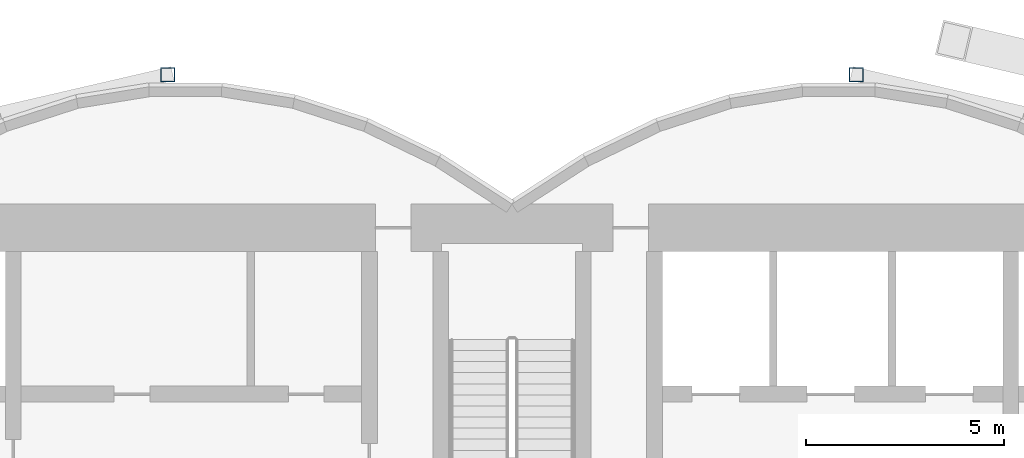
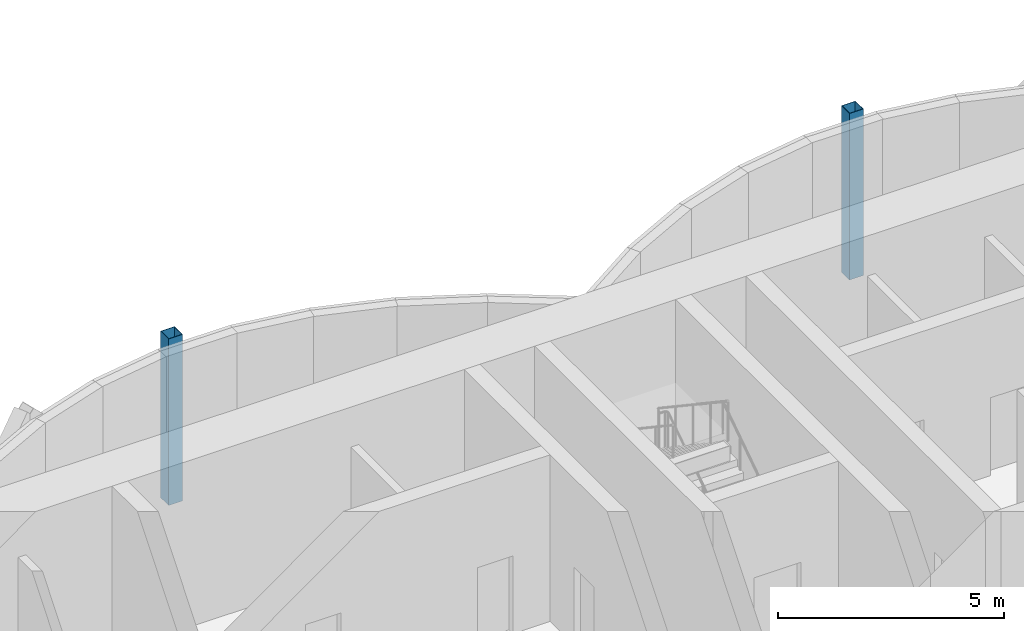
# One storey, part 3 of 22: 2 columns.
"""IFC4 building model written with IfcOpenShell, lengths in metres."""

from ifc_helpers import new_model, si_unit, direction, frame, origin, origin_2d, place, context, subcontext, project, spatial, hollow_rectangle, extrude, material, material_profile, profile_set, type_object, element, save


model = new_model("IFC4")

# Units and contexts
model_context = context("Model", 3, precision=1e-05, world=origin(), true_north=direction((0.0, 1.0)))
body_context = subcontext(model_context, "Body", "Model", "MODEL_VIEW")
ifc_project = project(units=[si_unit("LENGTHUNIT", "METRE"), si_unit("AREAUNIT", "SQUARE_METRE"), si_unit("VOLUMEUNIT", "CUBIC_METRE"), si_unit("PLANEANGLEUNIT", "RADIAN"), si_unit("MASSUNIT", "GRAM", prefix="KILO")], contexts=[model_context])

# Site, building, storey
site_placement = place(None, origin())
site = spatial("IfcSite", under=ifc_project, at=site_placement, CompositionType="ELEMENT")
building_placement = place(site_placement, origin())
building = spatial("IfcBuilding", under=site, at=building_placement, Name="Bicima Exchange Tower", CompositionType="ELEMENT")
storey_placement = place(building_placement, frame((0.0, 0.0, 315.5)))
storey = spatial("IfcBuildingStorey", under=building, at=storey_placement, Name="L71", CompositionType="ELEMENT", Elevation=315.5)

# Columns
ifc_material = material(Name="Steel ASTM A572 Gr 50", Category="steel")
ifc_material_profile = material_profile(ifc_material, hollow_rectangle(XDim=0.355712890625, YDim=0.355712890625, WallThickness=0.01171875, at=origin_2d()))
ifc_profile_set = profile_set([ifc_material_profile], Name="Steel ASTM A572 Gr 50")
column_type = type_object("IfcColumnType", Name="Rear pilaster HSS14x14x1/2", PredefinedType="COLUMN", material=ifc_profile_set)
for number, where, z_axis, x_axis, name in (
    (1, (-8.699951171875, 3.26904296875, 0.0), (0.0, 0.0, 1.0), (1.0, 0.0, 0.0), "Rear pilaster rexo-8.7r"),
    (2, (8.699951171875, 3.26904296875, 0.0), (0.0, 0.0, 1.0), (1.0, 0.0, 0.0), "Rear pilaster rexo+8.7r"),
):
    element("IfcColumn", number, at=place(storey_placement, frame(where, z_axis=z_axis, x_axis=x_axis)), inside=storey, type_object=column_type, Name=name, PredefinedType="COLUMN", context=body_context, shape_type="SweptSolid", body=[
        extrude(hollow_rectangle(XDim=0.355712890625, YDim=0.355712890625, WallThickness=0.01171875, at=origin_2d()), origin(), (0.0, 0.0, 1.0), 4.5),
    ])

save(model, "model.ifc")
